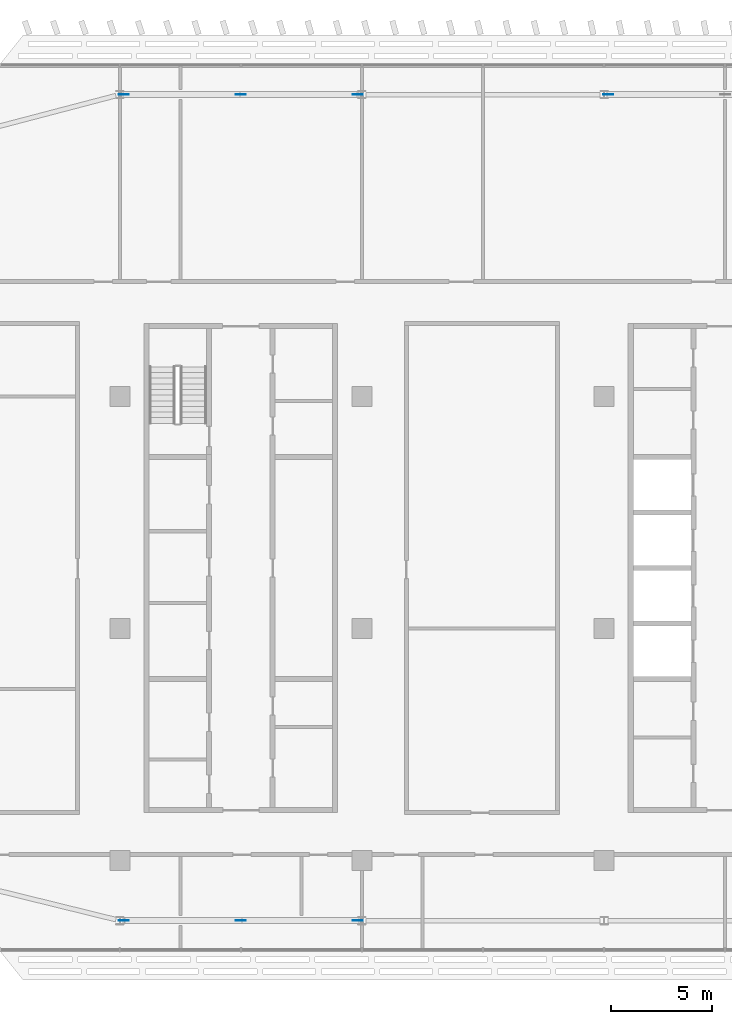
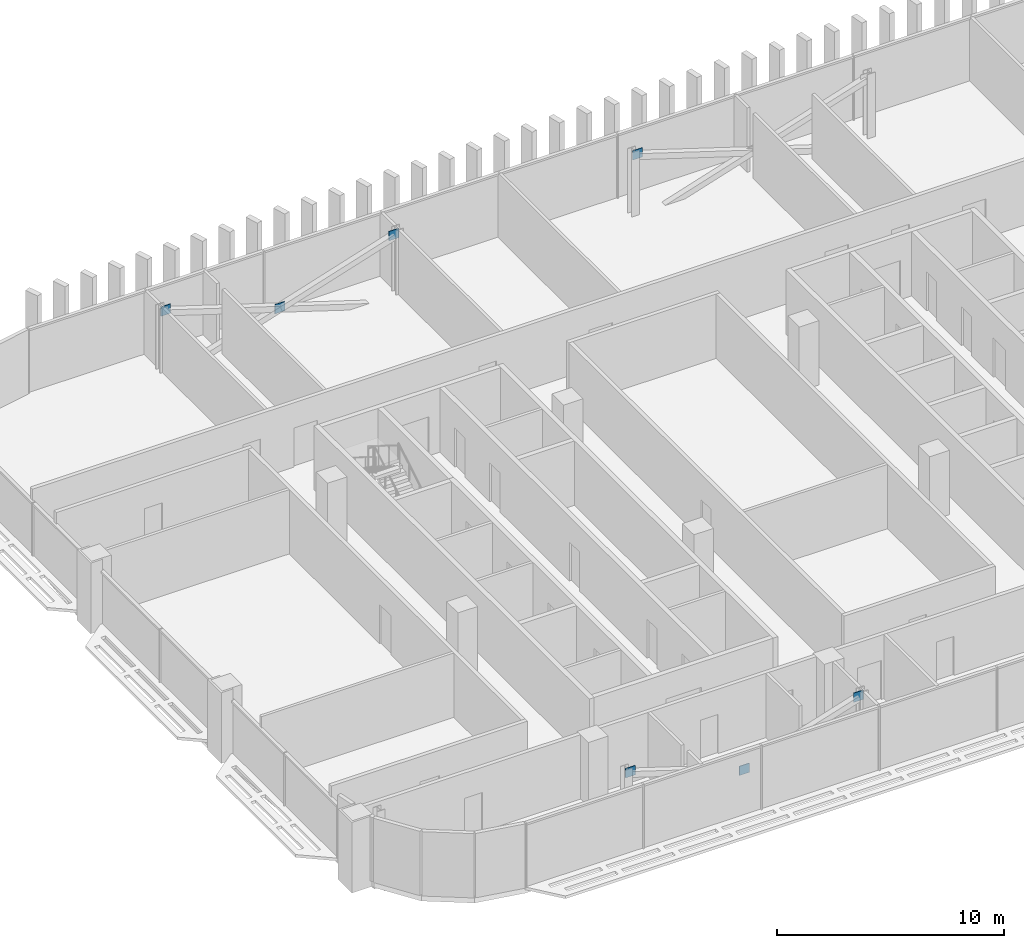
# One storey, part 23 of 32: 7 discrete accessories.
"""IFC4 building model written with IfcOpenShell, lengths in metres."""

import ifcopenshell
import ifcopenshell.guid

model = None  # the IFC model being written
_history = None  # IfcOwnerHistory: only IFC2X3 demands one
_inside = {}  # id of a spatial element -> (the spatial element, [elements in it])
_under = {}  # id of a project, library or spatial element -> (it, [spatial elements below it])
_declared = {}  # id of a project -> (the project, [libraries it declares])
_typed = {}  # id of a type object -> (the type object, [elements of that type])
_made_of = {}  # id of a material, layer set ... -> (it, [elements and type objects made of it])


def new_model(schema):
    """Start an empty IFC model of exactly this schema.

    Asked for "IFC4X3", IfcOpenShell would pick the latest addendum, in which some entities
    have other attributes; the version numbers below select the first issue.
    IFC2X3 requires an IfcOwnerHistory on every rooted entity: one is made here for all.
    """
    global model, _history
    if schema == "IFC4X3":
        model = ifcopenshell.file(schema_version=(4, 3, 0, 0))
    else:
        model = ifcopenshell.file(schema=schema)
    _inside.clear()
    _under.clear()
    _declared.clear()
    _typed.clear()
    _made_of.clear()
    _history = None
    if model.schema == "IFC2X3":
        org = make("IfcOrganization", Name="unknown")
        user = make(
            "IfcPersonAndOrganization",
            ThePerson=make("IfcPerson", FamilyName="unknown"),
            TheOrganization=org,
        )
        app = make(
            "IfcApplication",
            ApplicationDeveloper=org,
            Version="unknown",
            ApplicationFullName="unknown",
            ApplicationIdentifier="unknown",
        )
        _history = make(
            "IfcOwnerHistory",
            OwningUser=user,
            OwningApplication=app,
            ChangeAction="ADDED",
            CreationDate=0,
        )
    return model


def make(cls, **values):
    """One entity of the class cls with the attributes given. An attribute that is None is left unset."""
    return model.create_entity(
        cls, **{name: value for name, value in values.items() if value is not None}
    )


def rooted(cls, **values):
    """An entity with a GlobalId (a new one), such as an element, a storey or a relation."""
    return make(cls, GlobalId=ifcopenshell.guid.new(), OwnerHistory=_history, **values)


def si_unit(unit_type, name, prefix=None):
    """IfcSIUnit, for example si_unit("LENGTHUNIT", "METRE", prefix="MILLI")."""
    return make("IfcSIUnit", UnitType=unit_type, Prefix=prefix, Name=name)


def assignment(units):
    """IfcUnitAssignment: the units of a project."""
    return None if units is None else make("IfcUnitAssignment", Units=units)


def point(xyz):
    """IfcCartesianPoint."""
    return None if xyz is None else make("IfcCartesianPoint", Coordinates=xyz)


def direction(xyz):
    """IfcDirection."""
    return None if xyz is None else make("IfcDirection", DirectionRatios=xyz)


def frame(location, z_axis=None, x_axis=None):
    """IfcAxis2Placement3D, a coordinate frame: its origin and axes. An axis left out is left unset."""
    return make(
        "IfcAxis2Placement3D",
        Location=point(location),
        Axis=direction(z_axis),
        RefDirection=direction(x_axis),
    )


def frame_2d(location, x_axis=None):
    """IfcAxis2Placement2D, a coordinate frame in the plane: its origin and x axis."""
    return make(
        "IfcAxis2Placement2D", Location=point(location), RefDirection=direction(x_axis)
    )


def origin():
    """The frame at (0, 0, 0) with its axes left unset."""
    return frame((0.0, 0.0, 0.0))


def origin_2d():
    """The frame at (0, 0) in the plane with its x axis left unset."""
    return frame_2d((0.0, 0.0))


def place(relative_to, where):
    """IfcLocalPlacement: puts the frame where relative to a parent placement (None: the world)."""
    return make(
        "IfcLocalPlacement", PlacementRelTo=relative_to, RelativePlacement=where
    )


def context(
    kind, dimensions, precision=None, world=None, true_north=None, identifier=None
):
    """IfcGeometricRepresentationContext, for example the 3D "Model" context."""
    return make(
        "IfcGeometricRepresentationContext",
        ContextIdentifier=identifier,
        ContextType=kind,
        CoordinateSpaceDimension=dimensions,
        Precision=precision,
        WorldCoordinateSystem=world,
        TrueNorth=true_north,
    )


def subcontext(parent, identifier, kind, view, scale=None):
    """IfcGeometricRepresentationSubContext, for example "Body" below "Model"."""
    return make(
        "IfcGeometricRepresentationSubContext",
        ContextIdentifier=identifier,
        ContextType=kind,
        ParentContext=parent,
        TargetScale=scale,
        TargetView=view,
    )


def project(units=None, contexts=None):
    """IfcProject with its units and contexts."""
    return rooted(
        "IfcProject",
        Name="project",
        RepresentationContexts=contexts,
        UnitsInContext=assignment(units),
    )


def spatial(cls, under=None, at=None, **own):
    """A site, building, storey or space (cls), placed at a placement, below another one or the project."""
    s = rooted(cls, ObjectPlacement=at, **own)
    if under is not None:
        _under.setdefault(under.id(), (under, []))[1].append(s)
    return s


def profile(cls, at=None, kind="AREA", **sizes):
    """A parametric profile (cls). Its sizes go by their IFC names, for example OverallWidth=200.0."""
    return make(cls, ProfileType=kind, Position=at, **sizes)


def rectangle(**sizes):
    """IfcRectangleProfileDef."""
    return profile("IfcRectangleProfileDef", **sizes)


def extrude(swept, where, along, depth):
    """IfcExtrudedAreaSolid: the profile swept, set in the frame where, extruded along a direction by depth."""
    return make(
        "IfcExtrudedAreaSolid",
        SweptArea=swept,
        Position=where,
        ExtrudedDirection=direction(along),
        Depth=depth,
    )


def shape(context_of_items, identifier, shape_type, items):
    """IfcShapeRepresentation: the items that make up one representation, for example the "Body"."""
    return make(
        "IfcShapeRepresentation",
        ContextOfItems=context_of_items,
        RepresentationIdentifier=identifier,
        RepresentationType=shape_type,
        Items=items,
    )


def material(Name=None, Category=None):
    """IfcMaterial."""
    return make("IfcMaterial", Name=Name, Category=Category)


def layer(
    of_material, thickness, ventilated=None, Name=None, Category=None, Priority=None
):
    """IfcMaterialLayer: one layer of a wall or slab, of a material (None: an air gap)."""
    return make(
        "IfcMaterialLayer",
        Material=of_material,
        LayerThickness=thickness,
        IsVentilated=ventilated,
        Name=Name,
        Category=Category,
        Priority=Priority,
    )


def layer_set(layers, Name=None):
    """IfcMaterialLayerSet."""
    return make("IfcMaterialLayerSet", MaterialLayers=layers, LayerSetName=Name)


def made_of(thing, what):
    """Note that an element or type object is made of a material, layer set ...; save() writes the relation."""
    if what is not None:
        _made_of.setdefault(what.id(), (what, []))[1].append(thing)
    return thing


def type_object(cls, material=None, **own):
    """A type object (cls), such as IfcWallType, which elements share."""
    return made_of(rooted(cls, **own), material)


def element(
    cls,
    number,
    at=None,
    inside=None,
    cuts=None,
    type_object=None,
    material=None,
    context=None,
    identifier="Body",
    shape_type=None,
    held_by="IfcProductDefinitionShape",
    body=None,
    shapes=None,
    **own,
):
    """One element of the class cls, such as IfcWall. Its Tag is "e" and its number.

    at: its placement. inside: the storey or other place that contains it. cuts: it is an
    opening in that element (IfcRelVoidsElement). A single representation is given by context,
    identifier, shape_type and body (its items); several are given by shapes. held_by: the class
    of the entity that holds the representations. save() writes the other relations.
    """
    e = rooted(cls, Tag="e%d" % number, ObjectPlacement=at, **own)
    if body is not None:
        shapes = [shape(context, identifier, shape_type, body)]
    if shapes is not None:
        e.Representation = make(held_by, Representations=shapes)
    if inside is not None:
        _inside.setdefault(inside.id(), (inside, []))[1].append(e)
    if cuts is not None:
        rooted(
            "IfcRelVoidsElement", RelatingBuildingElement=cuts, RelatedOpeningElement=e
        )
    if type_object is not None:
        _typed.setdefault(type_object.id(), (type_object, []))[1].append(e)
    return made_of(e, material)


def aggregate(whole, parts):
    """IfcRelAggregates: a whole, such as a stair, and the parts it consists of."""
    return rooted("IfcRelAggregates", RelatingObject=whole, RelatedObjects=parts)


def save(model, path):
    """Write the relations noted so far, then the file.

    IfcRelAggregates (storeys below a building ...), IfcRelContainedInSpatialStructure (elements
    in a storey), IfcRelDefinesByType, IfcRelAssociatesMaterial and IfcRelDeclares: one each for
    every whole, place, type object, material and project.
    """
    for whole, parts in _under.values():
        aggregate(whole, parts)
    for where, things in _inside.values():
        rooted(
            "IfcRelContainedInSpatialStructure",
            RelatedElements=things,
            RelatingStructure=where,
        )
    for kind, things in _typed.values():
        rooted("IfcRelDefinesByType", RelatedObjects=things, RelatingType=kind)
    for what, things in _made_of.values():
        rooted("IfcRelAssociatesMaterial", RelatedObjects=things, RelatingMaterial=what)
    for by, libraries in _declared.values():
        rooted("IfcRelDeclares", RelatingContext=by, RelatedDefinitions=libraries)
    model.write(path)


model = new_model("IFC4")

# Units and contexts
model_context = context("Model", 3, precision=1e-05, world=origin(), true_north=direction((0.0, 1.0)))
body_context = subcontext(model_context, "Body", "Model", "MODEL_VIEW")
ifc_project = project(units=[si_unit("LENGTHUNIT", "METRE"), si_unit("AREAUNIT", "SQUARE_METRE"), si_unit("VOLUMEUNIT", "CUBIC_METRE"), si_unit("PLANEANGLEUNIT", "RADIAN"), si_unit("MASSUNIT", "GRAM", prefix="KILO")], contexts=[model_context])

# Site, building, storey
site_placement = place(None, origin())
site = spatial("IfcSite", under=ifc_project, at=site_placement, CompositionType="ELEMENT")
building_placement = place(site_placement, origin())
building = spatial("IfcBuilding", under=site, at=building_placement, Name="Mahtab Terrace Research Tower", CompositionType="ELEMENT")
storey_placement = place(building_placement, frame((0.0, 0.0, 240.0)))
storey = spatial("IfcBuildingStorey", under=building, at=storey_placement, Name="L58", CompositionType="ELEMENT", Elevation=240.0)

# Discrete accessories
ifc_material = material(Name="Steel ASTM A992 Gr 50", Category="steel")
ifc_layer = layer(ifc_material, 0.030029296875)
ifc_layer_set = layer_set([ifc_layer], Name="Gusset plate 500x500x30")
discrete_accessory_type = type_object("IfcDiscreteAccessoryType", Name="Gusset plate 500x500x30", PredefinedType="USERDEFINED", material=ifc_layer_set)
for number, where, z_axis, x_axis, name in (
    (1, (-29.800537109375, -14.472900390625, 2.906494140625), (0.0, 0.0, 1.0), (1.0, 0.0, 0.0), "Gusset plate"),
    (2, (-29.800537109375, 26.472900390625, 2.906494140625), (0.0, 0.0, 1.0), (1.0, 0.0, 0.0), "Gusset plate"),
    (3, (-24.0, -14.472900390625, 1.006591796875), (0.0, 0.0, 1.0), (1.0, 0.0, 0.0), "Gusset plate"),
    (4, (-24.0, 26.472900390625, 1.006591796875), (0.0, 0.0, 1.0), (1.0, 0.0, 0.0), "Gusset plate"),
    (5, (-18.199462890625, -14.472900390625, 2.906494140625), (0.0, 0.0, 1.0), (1.0, 0.0, 0.0), "Gusset plate"),
    (6, (-18.199462890625, 26.472900390625, 2.906494140625), (0.0, 0.0, 1.0), (1.0, 0.0, 0.0), "Gusset plate"),
    (7, (-5.800537109375, 26.472900390625, 2.906494140625), (0.0, 0.0, 1.0), (1.0, 0.0, 0.0), "Gusset plate"),
):
    element("IfcDiscreteAccessory", number, at=place(storey_placement, frame(where, z_axis=z_axis, x_axis=x_axis)), inside=storey, type_object=discrete_accessory_type, Name=name, ObjectType="GUSSET PLATE", PredefinedType="USERDEFINED", context=body_context, shape_type="SweptSolid", body=[
        extrude(rectangle(XDim=0.5, YDim=0.030029296875, at=origin_2d()), origin(), (0.0, 0.0, 1.0), 0.5),
    ])

save(model, "model.ifc")
